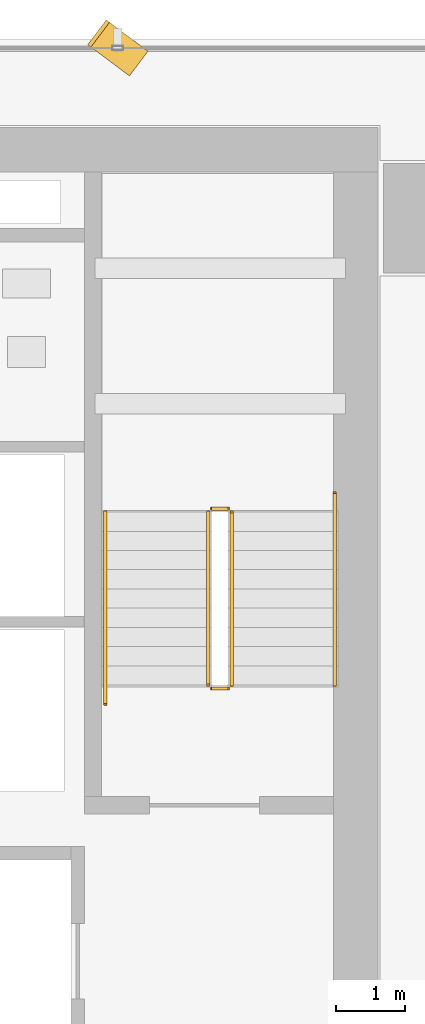
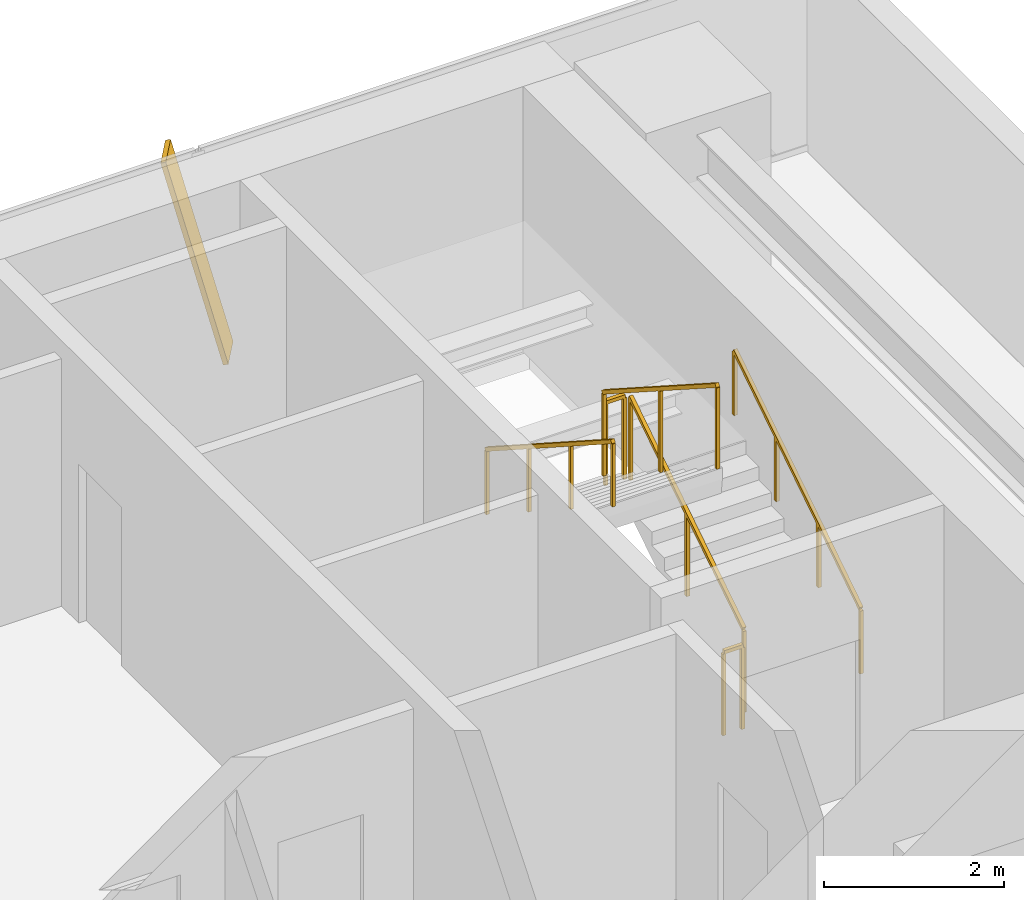
# One storey, part 35 of 36: 6 railings, 1 shading device.
"""IFC4 building model written with IfcOpenShell, lengths in metres."""

from ifc_helpers import new_model, si_unit, direction, frame, origin, origin_2d, place, context, subcontext, project, spatial, rectangle, extrude, source, transform, mapped, material, material_profile, profile_set, type_object, element, save


model = new_model("IFC4")

# Units and contexts
model_context = context("Model", 3, precision=1e-05, world=origin(), true_north=direction((0.0, 1.0)))
body_context = subcontext(model_context, "Body", "Model", "MODEL_VIEW")
ifc_project = project(units=[si_unit("LENGTHUNIT", "METRE"), si_unit("AREAUNIT", "SQUARE_METRE"), si_unit("VOLUMEUNIT", "CUBIC_METRE"), si_unit("PLANEANGLEUNIT", "RADIAN"), si_unit("MASSUNIT", "GRAM", prefix="KILO")], contexts=[model_context])

# Site, building, storey
site_placement = place(None, origin())
site = spatial("IfcSite", under=ifc_project, at=site_placement, CompositionType="ELEMENT")
building_placement = place(site_placement, origin())
building = spatial("IfcBuilding", under=site, at=building_placement, Name="Sumidabori Civic Tower", CompositionType="ELEMENT")
storey_placement = place(building_placement, frame((0.0, 0.0, 92.0)))
storey = spatial("IfcBuildingStorey", under=building, at=storey_placement, Name="L23", CompositionType="ELEMENT", Elevation=92.0)

# Railings
ifc_material_1 = material(Name="Stainless Steel Hairline Finish", Category="steel")
railing_type_1 = type_object("IfcRailingType", Name="RL-HANDRAIL", PredefinedType="HANDRAIL", material=ifc_material_1)
railing_1_placement = place(storey_placement, frame((15.2900390625, 16.0, 0.179931640625)))
element("IfcRailing", 1, at=railing_1_placement, inside=storey, type_object=railing_type_1, Name="L23 ST-2 stair handrail 1", PredefinedType="HANDRAIL", context=body_context, shape_type="SweptSolid", body=[
    extrude(rectangle(XDim=0.048095703125, YDim=0.048095703125, at=origin_2d()), frame((0.0, 0.0, 0.8759765625), z_axis=(0.0, 0.84064222762, 0.54159084662), x_axis=(-1.0, 0.0, 0.0)), (0.0, 0.0, 1.0), 3.330810546875),
    extrude(rectangle(XDim=0.0419921875, YDim=0.0419921875, at=origin_2d()), origin(), (0.0, 0.0, 1.0), 0.851806640625),
    extrude(rectangle(XDim=0.0419921875, YDim=0.0419921875, at=origin_2d()), frame((0.0, 0.933349609375, 0.601318359375)), (0.0, 0.0, 1.0), 0.851806640625),
    extrude(rectangle(XDim=0.0419921875, YDim=0.0419921875, at=origin_2d()), frame((0.0, 1.86669921875, 1.20263671875)), (0.0, 0.0, 1.0), 0.851806640625),
    extrude(rectangle(XDim=0.0419921875, YDim=0.0419921875, at=origin_2d()), frame((0.0, 2.800048828125, 1.803955078125)), (0.0, 0.0, 1.0), 0.851806640625),
])
railing_2_placement = place(storey_placement, frame((11.949951171875, 18.52001953125, 1.97998046875)))
element("IfcRailing", 2, at=railing_2_placement, inside=storey, type_object=railing_type_1, Name="L23 ST-2 stair handrail 2", PredefinedType="HANDRAIL", context=body_context, shape_type="SweptSolid", body=[
    extrude(rectangle(XDim=0.048095703125, YDim=0.048095703125, at=origin_2d()), frame((0.0, 0.0, 0.8759765625), z_axis=(0.0, -0.840675598268, 0.541539046124), x_axis=(1.0, 0.0, 0.0)), (0.0, 0.0, 1.0), 3.330810546875),
    extrude(rectangle(XDim=0.0419921875, YDim=0.0419921875, at=origin_2d()), origin(), (0.0, 0.0, 1.0), 0.851806640625),
    extrude(rectangle(XDim=0.0419921875, YDim=0.0419921875, at=origin_2d()), frame((0.0, -0.933349609375, 0.601318359375)), (0.0, 0.0, 1.0), 0.851806640625),
    extrude(rectangle(XDim=0.0419921875, YDim=0.0419921875, at=origin_2d()), frame((0.0, -1.86669921875, 1.202392578125)), (0.0, 0.0, 1.0), 0.851806640625),
    extrude(rectangle(XDim=0.0419921875, YDim=0.0419921875, at=origin_2d()), frame((0.0, -2.800048828125, 1.8037109375)), (0.0, 0.0, 1.0), 0.851806640625),
])
ifc_material_2 = material(Name="Steel SN490", Category="steel")
railing_type_2 = type_object("IfcRailingType", Name="RL-STAIR-GUARD", PredefinedType="GUARDRAIL", material=ifc_material_2)
railing_3_placement = place(storey_placement, frame((13.7900390625, 16.0, 0.179931640625)))
element("IfcRailing", 3, at=railing_3_placement, inside=storey, type_object=railing_type_2, Name="L23 ST-2 stair guard 1", PredefinedType="GUARDRAIL", context=body_context, shape_type="SweptSolid", body=[
    extrude(rectangle(XDim=0.048095703125, YDim=0.048095703125, at=origin_2d()), frame((0.0, 0.0, 1.1259765625), z_axis=(0.0, 0.841162588446, 0.540782303519), x_axis=(-1.0, 0.0, 0.0)), (0.0, 0.0, 1.0), 2.995849609375),
    extrude(rectangle(XDim=0.0419921875, YDim=0.0419921875, at=origin_2d()), origin(), (0.0, 0.0, 1.0), 1.101806640625),
    extrude(rectangle(XDim=0.0419921875, YDim=0.0419921875, at=origin_2d()), frame((0.0, 1.260009765625, 0.81005859375)), (0.0, 0.0, 1.0), 1.101806640625),
    extrude(rectangle(XDim=0.0419921875, YDim=0.0419921875, at=origin_2d()), frame((0.0, 2.52001953125, 1.6201171875)), (0.0, 0.0, 1.0), 1.101806640625),
])
railing_4_placement = place(storey_placement, frame((13.739990234375, 18.570068359375, 1.800048828125)))
element("IfcRailing", 4, at=railing_4_placement, inside=storey, type_object=railing_type_2, Name="L23 ST-2 stair guard 2", PredefinedType="GUARDRAIL", context=body_context, shape_type="SweptSolid", body=[
    extrude(rectangle(XDim=0.048095703125, YDim=0.048095703125, at=origin_2d()), frame((0.0, 0.0, 1.1259765625), z_axis=(-1.0, 0.0, 0.0), x_axis=(0.0, -1.0, 0.0)), (0.0, 0.0, 1.0), 0.239990234375),
    extrude(rectangle(XDim=0.0419921875, YDim=0.0419921875, at=origin_2d()), origin(), (0.0, 0.0, 1.0), 1.101806640625),
    extrude(rectangle(XDim=0.0419921875, YDim=0.0419921875, at=origin_2d()), frame((-0.239990234375, 0.0, 0.0)), (0.0, 0.0, 1.0), 1.101806640625),
])
railing_5_placement = place(storey_placement, frame((13.449951171875, 18.52001953125, 1.97998046875)))
element("IfcRailing", 5, at=railing_5_placement, inside=storey, type_object=railing_type_2, Name="L23 ST-2 stair guard 3", PredefinedType="GUARDRAIL", context=body_context, shape_type="SweptSolid", body=[
    extrude(rectangle(XDim=0.048095703125, YDim=0.048095703125, at=origin_2d()), frame((0.0, 0.0, 1.1259765625), z_axis=(0.0, -0.841162588446, 0.540782303519), x_axis=(1.0, 0.0, 0.0)), (0.0, 0.0, 1.0), 2.995849609375),
    extrude(rectangle(XDim=0.0419921875, YDim=0.0419921875, at=origin_2d()), origin(), (0.0, 0.0, 1.0), 1.101806640625),
    extrude(rectangle(XDim=0.0419921875, YDim=0.0419921875, at=origin_2d()), frame((0.0, -1.260009765625, 0.81005859375)), (0.0, 0.0, 1.0), 1.101806640625),
    extrude(rectangle(XDim=0.0419921875, YDim=0.0419921875, at=origin_2d()), frame((0.0, -2.52001953125, 1.6201171875)), (0.0, 0.0, 1.0), 1.101806640625),
])
railing_6_placement = place(storey_placement, frame((13.739990234375, 15.949951171875, 0.0)))
element("IfcRailing", 6, at=railing_6_placement, inside=storey, type_object=railing_type_2, Name="L23 ST-2 stair guard 4", PredefinedType="GUARDRAIL", context=body_context, shape_type="SweptSolid", body=[
    extrude(rectangle(XDim=0.048095703125, YDim=0.048095703125, at=origin_2d()), frame((0.0, 0.0, 1.1259765625), z_axis=(-1.0, 0.0, 0.0), x_axis=(0.0, -1.0, 0.0)), (0.0, 0.0, 1.0), 0.239990234375),
    extrude(rectangle(XDim=0.0419921875, YDim=0.0419921875, at=origin_2d()), origin(), (0.0, 0.0, 1.0), 1.101806640625),
    extrude(rectangle(XDim=0.0419921875, YDim=0.0419921875, at=origin_2d()), frame((-0.239990234375, 0.0, 0.0)), (0.0, 0.0, 1.0), 1.101806640625),
])

# Shading device
ifc_material_3 = material(Name="Anodised Bronze Aluminium AW-6063-T6", Category="aluminium")
ifc_material_profile = material_profile(ifc_material_3, rectangle(XDim=0.06005859375, YDim=0.449951171875, at=origin_2d()), Name="BRONZE FIN 450x60")
ifc_profile_set = profile_set([ifc_material_profile], Name="Anodised Bronze Aluminium AW-6063-T6")
shading_device_type = type_object("IfcShadingDeviceType", Name="SH-FIN-450", PredefinedType="USERDEFINED", material=ifc_profile_set)
shared_shape = source(origin(), body_context, "Body", "SweptSolid", [
    extrude(rectangle(XDim=0.06005859375, YDim=0.449951171875, at=origin_2d()), origin(), (0.0, 0.0, 1.0), 2.769775390625),
])
shading_device_placement = place(storey_placement, frame((12.412109375, 25.070068359375, 0.02001953125), z_axis=(-0.202198633998, 0.151604904305, 0.967538973582), x_axis=(0.774112159528, -0.58041539424, 0.252721852241)))
element("IfcShadingDevice", 7, at=shading_device_placement, inside=storey, type_object=shading_device_type, Name="Bronze Anodised Diagonal Fin L23-01", ObjectType="FIN", PredefinedType="USERDEFINED", context=body_context, shape_type="MappedRepresentation", body=[
    mapped(shared_shape, transform((0.0, 0.0, 0.0), x_axis=(1.0, 0.0, 0.0), y_axis=(0.0, 1.0, 0.0), z_axis=(0.0, 0.0, 1.0), scale=1.0)),
])

save(model, "model.ifc")
